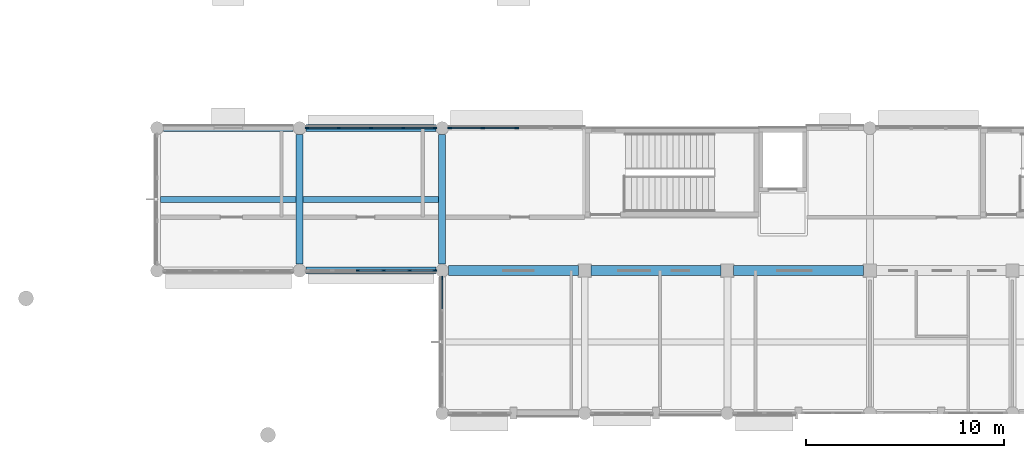
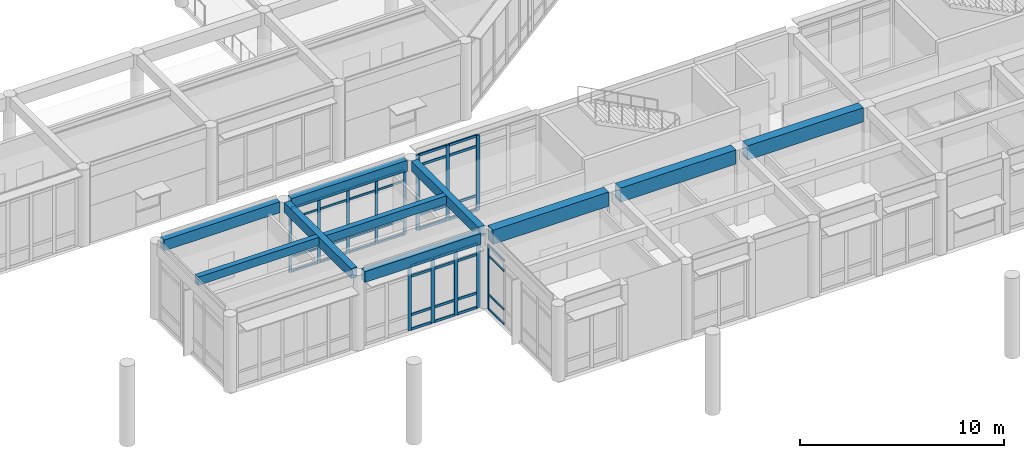
# One storey, part 5 of 92: 53 members, 10 beams, 4 elements without a shape of their own.
"""IFC4 building model written with IfcOpenShell, lengths in metres."""

import ifcopenshell
import ifcopenshell.guid

model = None  # the IFC model being written
_history = None  # IfcOwnerHistory: only IFC2X3 demands one
_inside = {}  # id of a spatial element -> (the spatial element, [elements in it])
_under = {}  # id of a project, library or spatial element -> (it, [spatial elements below it])
_declared = {}  # id of a project -> (the project, [libraries it declares])
_typed = {}  # id of a type object -> (the type object, [elements of that type])
_made_of = {}  # id of a material, layer set ... -> (it, [elements and type objects made of it])


def new_model(schema):
    """Start an empty IFC model of exactly this schema.

    Asked for "IFC4X3", IfcOpenShell would pick the latest addendum, in which some entities
    have other attributes; the version numbers below select the first issue.
    IFC2X3 requires an IfcOwnerHistory on every rooted entity: one is made here for all.
    """
    global model, _history
    if schema == "IFC4X3":
        model = ifcopenshell.file(schema_version=(4, 3, 0, 0))
    else:
        model = ifcopenshell.file(schema=schema)
    _inside.clear()
    _under.clear()
    _declared.clear()
    _typed.clear()
    _made_of.clear()
    _history = None
    if model.schema == "IFC2X3":
        org = make("IfcOrganization", Name="unknown")
        user = make(
            "IfcPersonAndOrganization",
            ThePerson=make("IfcPerson", FamilyName="unknown"),
            TheOrganization=org,
        )
        app = make(
            "IfcApplication",
            ApplicationDeveloper=org,
            Version="unknown",
            ApplicationFullName="unknown",
            ApplicationIdentifier="unknown",
        )
        _history = make(
            "IfcOwnerHistory",
            OwningUser=user,
            OwningApplication=app,
            ChangeAction="ADDED",
            CreationDate=0,
        )
    return model


def make(cls, **values):
    """One entity of the class cls with the attributes given. An attribute that is None is left unset."""
    return model.create_entity(
        cls, **{name: value for name, value in values.items() if value is not None}
    )


def rooted(cls, **values):
    """An entity with a GlobalId (a new one), such as an element, a storey or a relation."""
    return make(cls, GlobalId=ifcopenshell.guid.new(), OwnerHistory=_history, **values)


def si_unit(unit_type, name, prefix=None):
    """IfcSIUnit, for example si_unit("LENGTHUNIT", "METRE", prefix="MILLI")."""
    return make("IfcSIUnit", UnitType=unit_type, Prefix=prefix, Name=name)


def assignment(units):
    """IfcUnitAssignment: the units of a project."""
    return None if units is None else make("IfcUnitAssignment", Units=units)


def point(xyz):
    """IfcCartesianPoint."""
    return None if xyz is None else make("IfcCartesianPoint", Coordinates=xyz)


def direction(xyz):
    """IfcDirection."""
    return None if xyz is None else make("IfcDirection", DirectionRatios=xyz)


def frame(location, z_axis=None, x_axis=None):
    """IfcAxis2Placement3D, a coordinate frame: its origin and axes. An axis left out is left unset."""
    return make(
        "IfcAxis2Placement3D",
        Location=point(location),
        Axis=direction(z_axis),
        RefDirection=direction(x_axis),
    )


def frame_2d(location, x_axis=None):
    """IfcAxis2Placement2D, a coordinate frame in the plane: its origin and x axis."""
    return make(
        "IfcAxis2Placement2D", Location=point(location), RefDirection=direction(x_axis)
    )


def origin():
    """The frame at (0, 0, 0) with its axes left unset."""
    return frame((0.0, 0.0, 0.0))


def origin_2d():
    """The frame at (0, 0) in the plane with its x axis left unset."""
    return frame_2d((0.0, 0.0))


def place(relative_to, where):
    """IfcLocalPlacement: puts the frame where relative to a parent placement (None: the world)."""
    return make(
        "IfcLocalPlacement", PlacementRelTo=relative_to, RelativePlacement=where
    )


def context(
    kind, dimensions, precision=None, world=None, true_north=None, identifier=None
):
    """IfcGeometricRepresentationContext, for example the 3D "Model" context."""
    return make(
        "IfcGeometricRepresentationContext",
        ContextIdentifier=identifier,
        ContextType=kind,
        CoordinateSpaceDimension=dimensions,
        Precision=precision,
        WorldCoordinateSystem=world,
        TrueNorth=true_north,
    )


def subcontext(parent, identifier, kind, view, scale=None):
    """IfcGeometricRepresentationSubContext, for example "Body" below "Model"."""
    return make(
        "IfcGeometricRepresentationSubContext",
        ContextIdentifier=identifier,
        ContextType=kind,
        ParentContext=parent,
        TargetScale=scale,
        TargetView=view,
    )


def project(units=None, contexts=None):
    """IfcProject with its units and contexts."""
    return rooted(
        "IfcProject",
        Name="project",
        RepresentationContexts=contexts,
        UnitsInContext=assignment(units),
    )


def spatial(cls, under=None, at=None, **own):
    """A site, building, storey or space (cls), placed at a placement, below another one or the project."""
    s = rooted(cls, ObjectPlacement=at, **own)
    if under is not None:
        _under.setdefault(under.id(), (under, []))[1].append(s)
    return s


def profile(cls, at=None, kind="AREA", **sizes):
    """A parametric profile (cls). Its sizes go by their IFC names, for example OverallWidth=200.0."""
    return make(cls, ProfileType=kind, Position=at, **sizes)


def rectangle(**sizes):
    """IfcRectangleProfileDef."""
    return profile("IfcRectangleProfileDef", **sizes)


def extrude(swept, where, along, depth):
    """IfcExtrudedAreaSolid: the profile swept, set in the frame where, extruded along a direction by depth."""
    return make(
        "IfcExtrudedAreaSolid",
        SweptArea=swept,
        Position=where,
        ExtrudedDirection=direction(along),
        Depth=depth,
    )


def shape(context_of_items, identifier, shape_type, items):
    """IfcShapeRepresentation: the items that make up one representation, for example the "Body"."""
    return make(
        "IfcShapeRepresentation",
        ContextOfItems=context_of_items,
        RepresentationIdentifier=identifier,
        RepresentationType=shape_type,
        Items=items,
    )


def material(Name=None, Category=None):
    """IfcMaterial."""
    return make("IfcMaterial", Name=Name, Category=Category)


def layer(
    of_material, thickness, ventilated=None, Name=None, Category=None, Priority=None
):
    """IfcMaterialLayer: one layer of a wall or slab, of a material (None: an air gap)."""
    return make(
        "IfcMaterialLayer",
        Material=of_material,
        LayerThickness=thickness,
        IsVentilated=ventilated,
        Name=Name,
        Category=Category,
        Priority=Priority,
    )


def layer_set(layers, Name=None):
    """IfcMaterialLayerSet."""
    return make("IfcMaterialLayerSet", MaterialLayers=layers, LayerSetName=Name)


def material_profile(
    of_material, cross_section, Name=None, Category=None, Priority=None
):
    """IfcMaterialProfile: a cross section and its material."""
    return make(
        "IfcMaterialProfile",
        Name=Name,
        Material=of_material,
        Profile=cross_section,
        Priority=Priority,
        Category=Category,
    )


def profile_set(profiles, Name=None, composite=None):
    """IfcMaterialProfileSet."""
    return make(
        "IfcMaterialProfileSet",
        Name=Name,
        MaterialProfiles=profiles,
        CompositeProfile=composite,
    )


def made_of(thing, what):
    """Note that an element or type object is made of a material, layer set ...; save() writes the relation."""
    if what is not None:
        _made_of.setdefault(what.id(), (what, []))[1].append(thing)
    return thing


def type_object(cls, material=None, **own):
    """A type object (cls), such as IfcWallType, which elements share."""
    return made_of(rooted(cls, **own), material)


def element(
    cls,
    number,
    at=None,
    inside=None,
    cuts=None,
    type_object=None,
    material=None,
    context=None,
    identifier="Body",
    shape_type=None,
    held_by="IfcProductDefinitionShape",
    body=None,
    shapes=None,
    **own,
):
    """One element of the class cls, such as IfcWall. Its Tag is "e" and its number.

    at: its placement. inside: the storey or other place that contains it. cuts: it is an
    opening in that element (IfcRelVoidsElement). A single representation is given by context,
    identifier, shape_type and body (its items); several are given by shapes. held_by: the class
    of the entity that holds the representations. save() writes the other relations.
    """
    e = rooted(cls, Tag="e%d" % number, ObjectPlacement=at, **own)
    if body is not None:
        shapes = [shape(context, identifier, shape_type, body)]
    if shapes is not None:
        e.Representation = make(held_by, Representations=shapes)
    if inside is not None:
        _inside.setdefault(inside.id(), (inside, []))[1].append(e)
    if cuts is not None:
        rooted(
            "IfcRelVoidsElement", RelatingBuildingElement=cuts, RelatedOpeningElement=e
        )
    if type_object is not None:
        _typed.setdefault(type_object.id(), (type_object, []))[1].append(e)
    return made_of(e, material)


def aggregate(whole, parts):
    """IfcRelAggregates: a whole, such as a stair, and the parts it consists of."""
    return rooted("IfcRelAggregates", RelatingObject=whole, RelatedObjects=parts)


def save(model, path):
    """Write the relations noted so far, then the file.

    IfcRelAggregates (storeys below a building ...), IfcRelContainedInSpatialStructure (elements
    in a storey), IfcRelDefinesByType, IfcRelAssociatesMaterial and IfcRelDeclares: one each for
    every whole, place, type object, material and project.
    """
    for whole, parts in _under.values():
        aggregate(whole, parts)
    for where, things in _inside.values():
        rooted(
            "IfcRelContainedInSpatialStructure",
            RelatedElements=things,
            RelatingStructure=where,
        )
    for kind, things in _typed.values():
        rooted("IfcRelDefinesByType", RelatedObjects=things, RelatingType=kind)
    for what, things in _made_of.values():
        rooted("IfcRelAssociatesMaterial", RelatedObjects=things, RelatingMaterial=what)
    for by, libraries in _declared.values():
        rooted("IfcRelDeclares", RelatingContext=by, RelatedDefinitions=libraries)
    model.write(path)


model = new_model("IFC4")

# Units and contexts
model_context = context("Model", 3, precision=1e-05, world=origin(), true_north=direction((0.0, 1.0)))
body_context = subcontext(model_context, "Body", "Model", "MODEL_VIEW")
ifc_project = project(units=[si_unit("LENGTHUNIT", "METRE"), si_unit("AREAUNIT", "SQUARE_METRE"), si_unit("VOLUMEUNIT", "CUBIC_METRE"), si_unit("PLANEANGLEUNIT", "RADIAN"), si_unit("MASSUNIT", "GRAM", prefix="KILO")], contexts=[model_context])

# Site, building, storey
site_placement = place(None, origin())
site = spatial("IfcSite", under=ifc_project, at=site_placement, CompositionType="ELEMENT")
building_placement = place(site_placement, origin())
building = spatial("IfcBuilding", under=site, at=building_placement, Name="Namkhue Oval Health Centre", CompositionType="ELEMENT")
storey_placement = place(building_placement, frame((0.0, 0.0, 4.800048828125)))
storey = spatial("IfcBuildingStorey", under=building, at=storey_placement, Name="L01", CompositionType="ELEMENT", Elevation=4.800048828125)

# Curtain wall, members
ifc_material_1 = material(Name="Anodised aluminium EN AW-6063 T6", Category="aluminium")
ifc_layer_1 = layer(ifc_material_1, 0.159912109375)
ifc_layer_set_1 = layer_set([ifc_layer_1], Name="Anodised aluminium EN AW-6063 T6")
curtain_wall_type_1 = type_object("IfcCurtainWallType", Name="UNITISED CURTAIN WALL M1800", PredefinedType="NOTDEFINED", material=ifc_layer_set_1)
curtain_wall_1_placement = place(storey_placement, origin())
curtain_wall_1 = element("IfcCurtainWall", 1, at=curtain_wall_1_placement, inside=storey, type_object=curtain_wall_type_1, Name="Volume V4 L01 Unitised Curtain Wall 155", PredefinedType="NOTDEFINED")
ifc_material_profile_1 = material_profile(ifc_material_1, rectangle(XDim=0.06494140625, YDim=0.159912109375, at=origin_2d()), Name="ALU 65x160")
ifc_profile_set_1 = profile_set([ifc_material_profile_1], Name="Anodised aluminium EN AW-6063 T6")
member_type_1 = type_object("IfcMemberType", Name="CURTAIN WALL MULLION 65X160", PredefinedType="MULLION", material=ifc_profile_set_1)
member_1_placement = place(storey_placement, frame((50.032470703125, 28.800048828125, 0.0), z_axis=(0.0, 0.0, 1.0), x_axis=(0.0, -1.0, 0.0)))
member_1 = element("IfcMember", 2, at=member_1_placement, type_object=member_type_1, Name="CW-05 mullion 1", PredefinedType="MULLION", context=body_context, shape_type="SweptSolid", body=[
    extrude(rectangle(XDim=0.06494140625, YDim=0.159912109375, at=origin_2d()), origin(), (0.0, 0.0, 1.0), 3.85498046875),
])
member_2_placement = place(storey_placement, frame((48.4326171875, 28.800048828125, 0.0), z_axis=(0.0, 0.0, 1.0), x_axis=(0.0, -1.0, 0.0)))
member_2 = element("IfcMember", 3, at=member_2_placement, type_object=member_type_1, Name="CW-05 mullion 2", PredefinedType="MULLION", context=body_context, shape_type="SweptSolid", body=[
    extrude(rectangle(XDim=0.06494140625, YDim=0.159912109375, at=origin_2d()), origin(), (0.0, 0.0, 1.0), 3.85498046875),
])
member_3_placement = place(storey_placement, frame((46.800048828125, 28.800048828125, 0.0), z_axis=(0.0, 0.0, 1.0), x_axis=(0.0, -1.0, 0.0)))
member_3 = element("IfcMember", 4, at=member_3_placement, type_object=member_type_1, Name="CW-05 mullion 3", PredefinedType="MULLION", context=body_context, shape_type="SweptSolid", body=[
    extrude(rectangle(XDim=0.06494140625, YDim=0.159912109375, at=origin_2d()), origin(), (0.0, 0.0, 1.0), 3.85498046875),
])
member_4_placement = place(storey_placement, frame((45.16748046875, 28.800048828125, 0.0), z_axis=(0.0, 0.0, 1.0), x_axis=(0.0, -1.0, 0.0)))
member_4 = element("IfcMember", 5, at=member_4_placement, type_object=member_type_1, Name="CW-05 mullion 4", PredefinedType="MULLION", context=body_context, shape_type="SweptSolid", body=[
    extrude(rectangle(XDim=0.06494140625, YDim=0.159912109375, at=origin_2d()), origin(), (0.0, 0.0, 1.0), 3.85498046875),
])
member_5_placement = place(storey_placement, frame((43.5673828125, 28.800048828125, 0.0), z_axis=(0.0, 0.0, 1.0), x_axis=(0.0, -1.0, 0.0)))
member_5 = element("IfcMember", 6, at=member_5_placement, type_object=member_type_1, Name="CW-05 mullion 5", PredefinedType="MULLION", context=body_context, shape_type="SweptSolid", body=[
    extrude(rectangle(XDim=0.06494140625, YDim=0.159912109375, at=origin_2d()), origin(), (0.0, 0.0, 1.0), 3.85498046875),
])

# Curtain wall, member
ifc_layer_2 = layer(ifc_material_1, 0.159912109375)
ifc_layer_set_2 = layer_set([ifc_layer_2], Name="Anodised aluminium EN AW-6063 T6")
curtain_wall_type_2 = type_object("IfcCurtainWallType", Name="UNITISED CURTAIN WALL M1500", PredefinedType="NOTDEFINED", material=ifc_layer_set_2)
curtain_wall_2_placement = place(storey_placement, origin())
curtain_wall_2 = element("IfcCurtainWall", 7, at=curtain_wall_2_placement, inside=storey, type_object=curtain_wall_type_2, Name="Volume V4 L01 Unitised Curtain Wall 159", PredefinedType="NOTDEFINED")
member_6_placement = place(storey_placement, frame((50.39990234375, 21.232421875, 0.0), z_axis=(0.0, 0.0, 1.0), x_axis=(1.0, 0.0, 0.0)))
member_6 = element("IfcMember", 8, at=member_6_placement, type_object=member_type_1, Name="CW-03 mullion 1", PredefinedType="MULLION", context=body_context, shape_type="SweptSolid", body=[
    extrude(rectangle(XDim=0.06494140625, YDim=0.159912109375, at=origin_2d()), origin(), (0.0, 0.0, 1.0), 3.85498046875),
])

# Curtain wall, members
ifc_layer_3 = layer(ifc_material_1, 0.159912109375)
ifc_layer_set_3 = layer_set([ifc_layer_3], Name="Anodised aluminium EN AW-6063 T6")
curtain_wall_type_3 = type_object("IfcCurtainWallType", Name="UNITISED CURTAIN WALL M1600", PredefinedType="NOTDEFINED", material=ifc_layer_set_3)
curtain_wall_3_placement = place(storey_placement, origin())
curtain_wall_3 = element("IfcCurtainWall", 9, at=curtain_wall_3_placement, inside=storey, type_object=curtain_wall_type_3, Name="Volume V4 L01 Unitised Curtain Wall 154", PredefinedType="NOTDEFINED")
ifc_material_profile_2 = material_profile(ifc_material_1, rectangle(XDim=0.074951171875, YDim=0.199951171875, at=origin_2d()), Name="ALU 75x200")
ifc_profile_set_2 = profile_set([ifc_material_profile_2], Name="Anodised aluminium EN AW-6063 T6")
member_type_2 = type_object("IfcMemberType", Name="CURTAIN WALL MULLION 75X200", PredefinedType="MULLION", material=ifc_profile_set_2)
member_7_placement = place(storey_placement, frame((54.158935546875, 28.800048828125, 0.0), z_axis=(0.0, 0.0, 1.0), x_axis=(0.0, -1.0, 0.0)))
member_7 = element("IfcMember", 10, at=member_7_placement, type_object=member_type_2, Name="CW-04 mullion 3", PredefinedType="MULLION", context=body_context, shape_type="SweptSolid", body=[
    extrude(rectangle(XDim=0.074951171875, YDim=0.199951171875, at=origin_2d()), origin(), (0.0, 0.0, 1.0), 4.5048828125),
])
member_8_placement = place(storey_placement, frame((52.447021484375, 28.800048828125, 0.0), z_axis=(0.0, 0.0, 1.0), x_axis=(0.0, -1.0, 0.0)))
member_8 = element("IfcMember", 11, at=member_8_placement, type_object=member_type_2, Name="CW-04 mullion 4", PredefinedType="MULLION", context=body_context, shape_type="SweptSolid", body=[
    extrude(rectangle(XDim=0.074951171875, YDim=0.199951171875, at=origin_2d()), origin(), (0.0, 0.0, 1.0), 4.5048828125),
])
member_9_placement = place(storey_placement, frame((50.7724609375, 28.800048828125, 0.0), z_axis=(0.0, 0.0, 1.0), x_axis=(0.0, -1.0, 0.0)))
member_9 = element("IfcMember", 12, at=member_9_placement, type_object=member_type_2, Name="CW-04 mullion 5", PredefinedType="MULLION", context=body_context, shape_type="SweptSolid", body=[
    extrude(rectangle(XDim=0.074951171875, YDim=0.199951171875, at=origin_2d()), origin(), (0.0, 0.0, 1.0), 4.5048828125),
])

ifc_layer_4 = layer(ifc_material_1, 0.159912109375)
ifc_layer_set_4 = layer_set([ifc_layer_4], Name="Anodised aluminium EN AW-6063 T6")
curtain_wall_type_4 = type_object("IfcCurtainWallType", Name="UNITISED CURTAIN WALL M1350", PredefinedType="NOTDEFINED", material=ifc_layer_set_4)
curtain_wall_4_placement = place(storey_placement, origin())
curtain_wall_4 = element("IfcCurtainWall", 13, at=curtain_wall_4_placement, inside=storey, type_object=curtain_wall_type_4, Name="Volume V4 L01 Unitised Curtain Wall 158", PredefinedType="NOTDEFINED")
member_10_placement = place(storey_placement, frame((46.14697265625, 21.60009765625, 0.0), z_axis=(0.0, 0.0, 1.0), x_axis=(0.0, 1.0, 0.0)))
member_10 = element("IfcMember", 14, at=member_10_placement, type_object=member_type_2, Name="CW-02 mullion 3", PredefinedType="MULLION", context=body_context, shape_type="SweptSolid", body=[
    extrude(rectangle(XDim=0.074951171875, YDim=0.199951171875, at=origin_2d()), origin(), (0.0, 0.0, 1.0), 3.85498046875),
])
member_11_placement = place(storey_placement, frame((47.452880859375, 21.60009765625, 0.0), z_axis=(0.0, 0.0, 1.0), x_axis=(0.0, 1.0, 0.0)))
member_11 = element("IfcMember", 15, at=member_11_placement, type_object=member_type_2, Name="CW-02 mullion 4", PredefinedType="MULLION", context=body_context, shape_type="SweptSolid", body=[
    extrude(rectangle(XDim=0.074951171875, YDim=0.199951171875, at=origin_2d()), origin(), (0.0, 0.0, 1.0), 3.85498046875),
])
member_12_placement = place(storey_placement, frame((48.759033203125, 21.60009765625, 0.0), z_axis=(0.0, 0.0, 1.0), x_axis=(0.0, 1.0, 0.0)))
member_12 = element("IfcMember", 16, at=member_12_placement, type_object=member_type_2, Name="CW-02 mullion 5", PredefinedType="MULLION", context=body_context, shape_type="SweptSolid", body=[
    extrude(rectangle(XDim=0.074951171875, YDim=0.199951171875, at=origin_2d()), origin(), (0.0, 0.0, 1.0), 3.85498046875),
])
member_13_placement = place(storey_placement, frame((50.027587890625, 21.60009765625, 0.0), z_axis=(0.0, 0.0, 1.0), x_axis=(0.0, 1.0, 0.0)))
member_13 = element("IfcMember", 17, at=member_13_placement, type_object=member_type_2, Name="CW-02 mullion 6", PredefinedType="MULLION", context=body_context, shape_type="SweptSolid", body=[
    extrude(rectangle(XDim=0.074951171875, YDim=0.199951171875, at=origin_2d()), origin(), (0.0, 0.0, 1.0), 3.85498046875),
])

# Member
ifc_material_profile_3 = material_profile(ifc_material_1, rectangle(XDim=0.06494140625, YDim=0.1201171875, at=origin_2d()), Name="ALU 65x120")
ifc_profile_set_3 = profile_set([ifc_material_profile_3], Name="Anodised aluminium EN AW-6063 T6")
member_type_3 = type_object("IfcMemberType", Name="CURTAIN WALL TRANSOM 65X120", PredefinedType="USERDEFINED", material=ifc_profile_set_3)
member_14_placement = place(storey_placement, frame((50.0, 28.800048828125, 0.032470703125), z_axis=(-1.0, 0.0, 0.0), x_axis=(0.0, -1.0, 0.0)))
member_14 = element("IfcMember", 18, at=member_14_placement, type_object=member_type_3, Name="CW-05 transom 1.1", ObjectType="TRANSOM", PredefinedType="USERDEFINED", context=body_context, shape_type="SweptSolid", body=[
    extrude(rectangle(XDim=0.06494140625, YDim=0.1201171875, at=origin_2d()), origin(), (0.0, 0.0, 1.0), 1.534912109375),
])

member_15_placement = place(storey_placement, frame((50.0, 28.800048828125, 0.89990234375), z_axis=(-1.0, 0.0, 0.0), x_axis=(0.0, -1.0, 0.0)))
member_15 = element("IfcMember", 19, at=member_15_placement, type_object=member_type_3, Name="CW-05 transom 1.2", ObjectType="TRANSOM", PredefinedType="USERDEFINED", context=body_context, shape_type="SweptSolid", body=[
    extrude(rectangle(XDim=0.06494140625, YDim=0.1201171875, at=origin_2d()), origin(), (0.0, 0.0, 1.0), 1.534912109375),
])

member_16_placement = place(storey_placement, frame((50.0, 28.800048828125, 3.204833984375), z_axis=(-1.0, 0.0, 0.0), x_axis=(0.0, -1.0, 0.0)))
member_16 = element("IfcMember", 20, at=member_16_placement, type_object=member_type_3, Name="CW-05 transom 1.3", ObjectType="TRANSOM", PredefinedType="USERDEFINED", context=body_context, shape_type="SweptSolid", body=[
    extrude(rectangle(XDim=0.06494140625, YDim=0.1201171875, at=origin_2d()), origin(), (0.0, 0.0, 1.0), 1.534912109375),
])

member_17_placement = place(storey_placement, frame((50.0, 28.800048828125, 3.822509765625), z_axis=(-1.0, 0.0, 0.0), x_axis=(0.0, -1.0, 0.0)))
member_17 = element("IfcMember", 21, at=member_17_placement, type_object=member_type_3, Name="CW-05 transom 1.4", ObjectType="TRANSOM", PredefinedType="USERDEFINED", context=body_context, shape_type="SweptSolid", body=[
    extrude(rectangle(XDim=0.06494140625, YDim=0.1201171875, at=origin_2d()), origin(), (0.0, 0.0, 1.0), 1.534912109375),
])

member_18_placement = place(storey_placement, frame((48.39990234375, 28.800048828125, 0.032470703125), z_axis=(-1.0, 0.0, 0.0), x_axis=(0.0, -1.0, 0.0)))
member_18 = element("IfcMember", 22, at=member_18_placement, type_object=member_type_3, Name="CW-05 transom 2.1", ObjectType="TRANSOM", PredefinedType="USERDEFINED", context=body_context, shape_type="SweptSolid", body=[
    extrude(rectangle(XDim=0.06494140625, YDim=0.1201171875, at=origin_2d()), origin(), (0.0, 0.0, 1.0), 1.5673828125),
])

member_19_placement = place(storey_placement, frame((48.39990234375, 28.800048828125, 0.89990234375), z_axis=(-1.0, 0.0, 0.0), x_axis=(0.0, -1.0, 0.0)))
member_19 = element("IfcMember", 23, at=member_19_placement, type_object=member_type_3, Name="CW-05 transom 2.2", ObjectType="TRANSOM", PredefinedType="USERDEFINED", context=body_context, shape_type="SweptSolid", body=[
    extrude(rectangle(XDim=0.06494140625, YDim=0.1201171875, at=origin_2d()), origin(), (0.0, 0.0, 1.0), 1.5673828125),
])

member_20_placement = place(storey_placement, frame((48.39990234375, 28.800048828125, 3.204833984375), z_axis=(-1.0, 0.0, 0.0), x_axis=(0.0, -1.0, 0.0)))
member_20 = element("IfcMember", 24, at=member_20_placement, type_object=member_type_3, Name="CW-05 transom 2.3", ObjectType="TRANSOM", PredefinedType="USERDEFINED", context=body_context, shape_type="SweptSolid", body=[
    extrude(rectangle(XDim=0.06494140625, YDim=0.1201171875, at=origin_2d()), origin(), (0.0, 0.0, 1.0), 1.5673828125),
])

member_21_placement = place(storey_placement, frame((48.39990234375, 28.800048828125, 3.822509765625), z_axis=(-1.0, 0.0, 0.0), x_axis=(0.0, -1.0, 0.0)))
member_21 = element("IfcMember", 25, at=member_21_placement, type_object=member_type_3, Name="CW-05 transom 2.4", ObjectType="TRANSOM", PredefinedType="USERDEFINED", context=body_context, shape_type="SweptSolid", body=[
    extrude(rectangle(XDim=0.06494140625, YDim=0.1201171875, at=origin_2d()), origin(), (0.0, 0.0, 1.0), 1.5673828125),
])

member_22_placement = place(storey_placement, frame((46.767578125, 28.800048828125, 0.032470703125), z_axis=(-1.0, 0.0, 0.0), x_axis=(0.0, -1.0, 0.0)))
member_22 = element("IfcMember", 26, at=member_22_placement, type_object=member_type_3, Name="CW-05 transom 3.1", ObjectType="TRANSOM", PredefinedType="USERDEFINED", context=body_context, shape_type="SweptSolid", body=[
    extrude(rectangle(XDim=0.06494140625, YDim=0.1201171875, at=origin_2d()), origin(), (0.0, 0.0, 1.0), 1.567626953125),
])

member_23_placement = place(storey_placement, frame((46.767578125, 28.800048828125, 0.89990234375), z_axis=(-1.0, 0.0, 0.0), x_axis=(0.0, -1.0, 0.0)))
member_23 = element("IfcMember", 27, at=member_23_placement, type_object=member_type_3, Name="CW-05 transom 3.2", ObjectType="TRANSOM", PredefinedType="USERDEFINED", context=body_context, shape_type="SweptSolid", body=[
    extrude(rectangle(XDim=0.06494140625, YDim=0.1201171875, at=origin_2d()), origin(), (0.0, 0.0, 1.0), 1.567626953125),
])

member_24_placement = place(storey_placement, frame((46.767578125, 28.800048828125, 3.204833984375), z_axis=(-1.0, 0.0, 0.0), x_axis=(0.0, -1.0, 0.0)))
member_24 = element("IfcMember", 28, at=member_24_placement, type_object=member_type_3, Name="CW-05 transom 3.3", ObjectType="TRANSOM", PredefinedType="USERDEFINED", context=body_context, shape_type="SweptSolid", body=[
    extrude(rectangle(XDim=0.06494140625, YDim=0.1201171875, at=origin_2d()), origin(), (0.0, 0.0, 1.0), 1.567626953125),
])

member_25_placement = place(storey_placement, frame((46.767578125, 28.800048828125, 3.822509765625), z_axis=(-1.0, 0.0, 0.0), x_axis=(0.0, -1.0, 0.0)))
member_25 = element("IfcMember", 29, at=member_25_placement, type_object=member_type_3, Name="CW-05 transom 3.4", ObjectType="TRANSOM", PredefinedType="USERDEFINED", context=body_context, shape_type="SweptSolid", body=[
    extrude(rectangle(XDim=0.06494140625, YDim=0.1201171875, at=origin_2d()), origin(), (0.0, 0.0, 1.0), 1.567626953125),
])

member_26_placement = place(storey_placement, frame((45.135009765625, 28.800048828125, 0.032470703125), z_axis=(-1.0, 0.0, 0.0), x_axis=(0.0, -1.0, 0.0)))
member_26 = element("IfcMember", 30, at=member_26_placement, type_object=member_type_3, Name="CW-05 transom 4.1", ObjectType="TRANSOM", PredefinedType="USERDEFINED", context=body_context, shape_type="SweptSolid", body=[
    extrude(rectangle(XDim=0.06494140625, YDim=0.1201171875, at=origin_2d()), origin(), (0.0, 0.0, 1.0), 1.534912109375),
])

member_27_placement = place(storey_placement, frame((45.135009765625, 28.800048828125, 0.89990234375), z_axis=(-1.0, 0.0, 0.0), x_axis=(0.0, -1.0, 0.0)))
member_27 = element("IfcMember", 31, at=member_27_placement, type_object=member_type_3, Name="CW-05 transom 4.2", ObjectType="TRANSOM", PredefinedType="USERDEFINED", context=body_context, shape_type="SweptSolid", body=[
    extrude(rectangle(XDim=0.06494140625, YDim=0.1201171875, at=origin_2d()), origin(), (0.0, 0.0, 1.0), 1.534912109375),
])

member_28_placement = place(storey_placement, frame((45.135009765625, 28.800048828125, 3.204833984375), z_axis=(-1.0, 0.0, 0.0), x_axis=(0.0, -1.0, 0.0)))
member_28 = element("IfcMember", 32, at=member_28_placement, type_object=member_type_3, Name="CW-05 transom 4.3", ObjectType="TRANSOM", PredefinedType="USERDEFINED", context=body_context, shape_type="SweptSolid", body=[
    extrude(rectangle(XDim=0.06494140625, YDim=0.1201171875, at=origin_2d()), origin(), (0.0, 0.0, 1.0), 1.534912109375),
])

member_29_placement = place(storey_placement, frame((45.135009765625, 28.800048828125, 3.822509765625), z_axis=(-1.0, 0.0, 0.0), x_axis=(0.0, -1.0, 0.0)))
member_29 = element("IfcMember", 33, at=member_29_placement, type_object=member_type_3, Name="CW-05 transom 4.4", ObjectType="TRANSOM", PredefinedType="USERDEFINED", context=body_context, shape_type="SweptSolid", body=[
    extrude(rectangle(XDim=0.06494140625, YDim=0.1201171875, at=origin_2d()), origin(), (0.0, 0.0, 1.0), 1.534912109375),
])

aggregate(curtain_wall_1, [member_1, member_2, member_3, member_4, member_5, member_14, member_15, member_16, member_17, member_18, member_19, member_20, member_21, member_22, member_23, member_24, member_25, member_26, member_27, member_28, member_29])

member_30_placement = place(storey_placement, frame((50.39990234375, 21.199951171875, 0.032470703125), z_axis=(0.0, -1.0, 0.0), x_axis=(1.0, 0.0, 0.0)))
member_30 = element("IfcMember", 34, at=member_30_placement, type_object=member_type_3, Name="CW-03 transom 1.1", ObjectType="TRANSOM", PredefinedType="USERDEFINED", context=body_context, shape_type="SweptSolid", body=[
    extrude(rectangle(XDim=0.06494140625, YDim=0.1201171875, at=origin_2d()), origin(), (0.0, 0.0, 1.0), 1.534912109375),
])

member_31_placement = place(storey_placement, frame((50.39990234375, 21.199951171875, 0.89990234375), z_axis=(0.0, -1.0, 0.0), x_axis=(1.0, 0.0, 0.0)))
member_31 = element("IfcMember", 35, at=member_31_placement, type_object=member_type_3, Name="CW-03 transom 1.2", ObjectType="TRANSOM", PredefinedType="USERDEFINED", context=body_context, shape_type="SweptSolid", body=[
    extrude(rectangle(XDim=0.06494140625, YDim=0.1201171875, at=origin_2d()), origin(), (0.0, 0.0, 1.0), 1.534912109375),
])

member_32_placement = place(storey_placement, frame((50.39990234375, 21.199951171875, 3.204833984375), z_axis=(0.0, -1.0, 0.0), x_axis=(1.0, 0.0, 0.0)))
member_32 = element("IfcMember", 36, at=member_32_placement, type_object=member_type_3, Name="CW-03 transom 1.3", ObjectType="TRANSOM", PredefinedType="USERDEFINED", context=body_context, shape_type="SweptSolid", body=[
    extrude(rectangle(XDim=0.06494140625, YDim=0.1201171875, at=origin_2d()), origin(), (0.0, 0.0, 1.0), 1.534912109375),
])

member_33_placement = place(storey_placement, frame((50.39990234375, 21.199951171875, 3.822509765625), z_axis=(0.0, -1.0, 0.0), x_axis=(1.0, 0.0, 0.0)))
member_33 = element("IfcMember", 37, at=member_33_placement, type_object=member_type_3, Name="CW-03 transom 1.4", ObjectType="TRANSOM", PredefinedType="USERDEFINED", context=body_context, shape_type="SweptSolid", body=[
    extrude(rectangle(XDim=0.06494140625, YDim=0.1201171875, at=origin_2d()), origin(), (0.0, 0.0, 1.0), 1.534912109375),
])

aggregate(curtain_wall_2, [member_6, member_30, member_31, member_32, member_33])

ifc_material_profile_4 = material_profile(ifc_material_1, rectangle(XDim=0.074951171875, YDim=0.14990234375, at=origin_2d()), Name="ALU 75x150")
ifc_profile_set_4 = profile_set([ifc_material_profile_4], Name="Anodised aluminium EN AW-6063 T6")
member_type_4 = type_object("IfcMemberType", Name="CURTAIN WALL TRANSOM 75X150", PredefinedType="USERDEFINED", material=ifc_profile_set_4)
member_34_placement = place(storey_placement, frame((54.12158203125, 28.800048828125, 0.037353515625), z_axis=(-1.0, 0.0, 0.0), x_axis=(0.0, -1.0, 0.0)))
member_34 = element("IfcMember", 38, at=member_34_placement, type_object=member_type_4, Name="CW-04 transom 3.1", ObjectType="TRANSOM", PredefinedType="USERDEFINED", context=body_context, shape_type="SweptSolid", body=[
    extrude(rectangle(XDim=0.074951171875, YDim=0.14990234375, at=origin_2d()), origin(), (0.0, 0.0, 1.0), 1.636962890625),
])

member_35_placement = place(storey_placement, frame((54.12158203125, 28.800048828125, 0.89990234375), z_axis=(-1.0, 0.0, 0.0), x_axis=(0.0, -1.0, 0.0)))
member_35 = element("IfcMember", 39, at=member_35_placement, type_object=member_type_4, Name="CW-04 transom 3.2", ObjectType="TRANSOM", PredefinedType="USERDEFINED", context=body_context, shape_type="SweptSolid", body=[
    extrude(rectangle(XDim=0.074951171875, YDim=0.14990234375, at=origin_2d()), origin(), (0.0, 0.0, 1.0), 1.636962890625),
])

member_36_placement = place(storey_placement, frame((54.12158203125, 28.800048828125, 3.85498046875), z_axis=(-1.0, 0.0, 0.0), x_axis=(0.0, -1.0, 0.0)))
member_36 = element("IfcMember", 40, at=member_36_placement, type_object=member_type_4, Name="CW-04 transom 3.3", ObjectType="TRANSOM", PredefinedType="USERDEFINED", context=body_context, shape_type="SweptSolid", body=[
    extrude(rectangle(XDim=0.074951171875, YDim=0.14990234375, at=origin_2d()), origin(), (0.0, 0.0, 1.0), 1.636962890625),
])

member_37_placement = place(storey_placement, frame((54.12158203125, 28.800048828125, 4.467529296875), z_axis=(-1.0, 0.0, 0.0), x_axis=(0.0, -1.0, 0.0)))
member_37 = element("IfcMember", 41, at=member_37_placement, type_object=member_type_4, Name="CW-04 transom 3.4", ObjectType="TRANSOM", PredefinedType="USERDEFINED", context=body_context, shape_type="SweptSolid", body=[
    extrude(rectangle(XDim=0.074951171875, YDim=0.14990234375, at=origin_2d()), origin(), (0.0, 0.0, 1.0), 1.636962890625),
])

member_38_placement = place(storey_placement, frame((52.409423828125, 28.800048828125, 0.037353515625), z_axis=(-1.0, 0.0, 0.0), x_axis=(0.0, -1.0, 0.0)))
member_38 = element("IfcMember", 42, at=member_38_placement, type_object=member_type_4, Name="CW-04 transom 4.1", ObjectType="TRANSOM", PredefinedType="USERDEFINED", context=body_context, shape_type="SweptSolid", body=[
    extrude(rectangle(XDim=0.074951171875, YDim=0.14990234375, at=origin_2d()), origin(), (0.0, 0.0, 1.0), 1.599365234375),
])

member_39_placement = place(storey_placement, frame((52.409423828125, 28.800048828125, 0.89990234375), z_axis=(-1.0, 0.0, 0.0), x_axis=(0.0, -1.0, 0.0)))
member_39 = element("IfcMember", 43, at=member_39_placement, type_object=member_type_4, Name="CW-04 transom 4.2", ObjectType="TRANSOM", PredefinedType="USERDEFINED", context=body_context, shape_type="SweptSolid", body=[
    extrude(rectangle(XDim=0.074951171875, YDim=0.14990234375, at=origin_2d()), origin(), (0.0, 0.0, 1.0), 1.599365234375),
])

member_40_placement = place(storey_placement, frame((52.409423828125, 28.800048828125, 3.85498046875), z_axis=(-1.0, 0.0, 0.0), x_axis=(0.0, -1.0, 0.0)))
member_40 = element("IfcMember", 44, at=member_40_placement, type_object=member_type_4, Name="CW-04 transom 4.3", ObjectType="TRANSOM", PredefinedType="USERDEFINED", context=body_context, shape_type="SweptSolid", body=[
    extrude(rectangle(XDim=0.074951171875, YDim=0.14990234375, at=origin_2d()), origin(), (0.0, 0.0, 1.0), 1.599365234375),
])

member_41_placement = place(storey_placement, frame((52.409423828125, 28.800048828125, 4.467529296875), z_axis=(-1.0, 0.0, 0.0), x_axis=(0.0, -1.0, 0.0)))
member_41 = element("IfcMember", 45, at=member_41_placement, type_object=member_type_4, Name="CW-04 transom 4.4", ObjectType="TRANSOM", PredefinedType="USERDEFINED", context=body_context, shape_type="SweptSolid", body=[
    extrude(rectangle(XDim=0.074951171875, YDim=0.14990234375, at=origin_2d()), origin(), (0.0, 0.0, 1.0), 1.599365234375),
])

aggregate(curtain_wall_3, [member_7, member_8, member_9, member_34, member_35, member_36, member_37, member_38, member_39, member_40, member_41])

member_42_placement = place(storey_placement, frame((46.1845703125, 21.60009765625, 0.037353515625), z_axis=(1.0, 0.0, 0.0), x_axis=(0.0, 1.0, 0.0)))
member_42 = element("IfcMember", 46, at=member_42_placement, type_object=member_type_4, Name="CW-02 transom 3.1", ObjectType="TRANSOM", PredefinedType="USERDEFINED", context=body_context, shape_type="SweptSolid", body=[
    extrude(rectangle(XDim=0.074951171875, YDim=0.14990234375, at=origin_2d()), origin(), (0.0, 0.0, 1.0), 1.23095703125),
])

member_43_placement = place(storey_placement, frame((46.1845703125, 21.60009765625, 0.89990234375), z_axis=(1.0, 0.0, 0.0), x_axis=(0.0, 1.0, 0.0)))
member_43 = element("IfcMember", 47, at=member_43_placement, type_object=member_type_4, Name="CW-02 transom 3.2", ObjectType="TRANSOM", PredefinedType="USERDEFINED", context=body_context, shape_type="SweptSolid", body=[
    extrude(rectangle(XDim=0.074951171875, YDim=0.14990234375, at=origin_2d()), origin(), (0.0, 0.0, 1.0), 1.23095703125),
])

member_44_placement = place(storey_placement, frame((46.1845703125, 21.60009765625, 3.204833984375), z_axis=(1.0, 0.0, 0.0), x_axis=(0.0, 1.0, 0.0)))
member_44 = element("IfcMember", 48, at=member_44_placement, type_object=member_type_4, Name="CW-02 transom 3.3", ObjectType="TRANSOM", PredefinedType="USERDEFINED", context=body_context, shape_type="SweptSolid", body=[
    extrude(rectangle(XDim=0.074951171875, YDim=0.14990234375, at=origin_2d()), origin(), (0.0, 0.0, 1.0), 1.23095703125),
])

member_45_placement = place(storey_placement, frame((46.1845703125, 21.60009765625, 3.8173828125), z_axis=(1.0, 0.0, 0.0), x_axis=(0.0, 1.0, 0.0)))
member_45 = element("IfcMember", 49, at=member_45_placement, type_object=member_type_4, Name="CW-02 transom 3.4", ObjectType="TRANSOM", PredefinedType="USERDEFINED", context=body_context, shape_type="SweptSolid", body=[
    extrude(rectangle(XDim=0.074951171875, YDim=0.14990234375, at=origin_2d()), origin(), (0.0, 0.0, 1.0), 1.23095703125),
])

member_46_placement = place(storey_placement, frame((47.490478515625, 21.60009765625, 0.037353515625), z_axis=(1.0, 0.0, 0.0), x_axis=(0.0, 1.0, 0.0)))
member_46 = element("IfcMember", 50, at=member_46_placement, type_object=member_type_4, Name="CW-02 transom 4.1", ObjectType="TRANSOM", PredefinedType="USERDEFINED", context=body_context, shape_type="SweptSolid", body=[
    extrude(rectangle(XDim=0.074951171875, YDim=0.14990234375, at=origin_2d()), origin(), (0.0, 0.0, 1.0), 1.23095703125),
])

member_47_placement = place(storey_placement, frame((47.490478515625, 21.60009765625, 0.89990234375), z_axis=(1.0, 0.0, 0.0), x_axis=(0.0, 1.0, 0.0)))
member_47 = element("IfcMember", 51, at=member_47_placement, type_object=member_type_4, Name="CW-02 transom 4.2", ObjectType="TRANSOM", PredefinedType="USERDEFINED", context=body_context, shape_type="SweptSolid", body=[
    extrude(rectangle(XDim=0.074951171875, YDim=0.14990234375, at=origin_2d()), origin(), (0.0, 0.0, 1.0), 1.23095703125),
])

member_48_placement = place(storey_placement, frame((47.490478515625, 21.60009765625, 3.204833984375), z_axis=(1.0, 0.0, 0.0), x_axis=(0.0, 1.0, 0.0)))
member_48 = element("IfcMember", 52, at=member_48_placement, type_object=member_type_4, Name="CW-02 transom 4.3", ObjectType="TRANSOM", PredefinedType="USERDEFINED", context=body_context, shape_type="SweptSolid", body=[
    extrude(rectangle(XDim=0.074951171875, YDim=0.14990234375, at=origin_2d()), origin(), (0.0, 0.0, 1.0), 1.23095703125),
])

member_49_placement = place(storey_placement, frame((47.490478515625, 21.60009765625, 3.8173828125), z_axis=(1.0, 0.0, 0.0), x_axis=(0.0, 1.0, 0.0)))
member_49 = element("IfcMember", 53, at=member_49_placement, type_object=member_type_4, Name="CW-02 transom 4.4", ObjectType="TRANSOM", PredefinedType="USERDEFINED", context=body_context, shape_type="SweptSolid", body=[
    extrude(rectangle(XDim=0.074951171875, YDim=0.14990234375, at=origin_2d()), origin(), (0.0, 0.0, 1.0), 1.23095703125),
])

member_50_placement = place(storey_placement, frame((48.79638671875, 21.60009765625, 0.037353515625), z_axis=(1.0, 0.0, 0.0), x_axis=(0.0, 1.0, 0.0)))
member_50 = element("IfcMember", 54, at=member_50_placement, type_object=member_type_4, Name="CW-02 transom 5.1", ObjectType="TRANSOM", PredefinedType="USERDEFINED", context=body_context, shape_type="SweptSolid", body=[
    extrude(rectangle(XDim=0.074951171875, YDim=0.14990234375, at=origin_2d()), origin(), (0.0, 0.0, 1.0), 1.193603515625),
])

member_51_placement = place(storey_placement, frame((48.79638671875, 21.60009765625, 0.89990234375), z_axis=(1.0, 0.0, 0.0), x_axis=(0.0, 1.0, 0.0)))
member_51 = element("IfcMember", 55, at=member_51_placement, type_object=member_type_4, Name="CW-02 transom 5.2", ObjectType="TRANSOM", PredefinedType="USERDEFINED", context=body_context, shape_type="SweptSolid", body=[
    extrude(rectangle(XDim=0.074951171875, YDim=0.14990234375, at=origin_2d()), origin(), (0.0, 0.0, 1.0), 1.193603515625),
])

member_52_placement = place(storey_placement, frame((48.79638671875, 21.60009765625, 3.204833984375), z_axis=(1.0, 0.0, 0.0), x_axis=(0.0, 1.0, 0.0)))
member_52 = element("IfcMember", 56, at=member_52_placement, type_object=member_type_4, Name="CW-02 transom 5.3", ObjectType="TRANSOM", PredefinedType="USERDEFINED", context=body_context, shape_type="SweptSolid", body=[
    extrude(rectangle(XDim=0.074951171875, YDim=0.14990234375, at=origin_2d()), origin(), (0.0, 0.0, 1.0), 1.193603515625),
])

member_53_placement = place(storey_placement, frame((48.79638671875, 21.60009765625, 3.8173828125), z_axis=(1.0, 0.0, 0.0), x_axis=(0.0, 1.0, 0.0)))
member_53 = element("IfcMember", 57, at=member_53_placement, type_object=member_type_4, Name="CW-02 transom 5.4", ObjectType="TRANSOM", PredefinedType="USERDEFINED", context=body_context, shape_type="SweptSolid", body=[
    extrude(rectangle(XDim=0.074951171875, YDim=0.14990234375, at=origin_2d()), origin(), (0.0, 0.0, 1.0), 1.193603515625),
])

aggregate(curtain_wall_4, [member_10, member_11, member_12, member_13, member_42, member_43, member_44, member_45, member_46, member_47, member_48, member_49, member_50, member_51, member_52, member_53])

# Beams
ifc_material_2 = material(Name="Reinforced concrete C30/37 (TCVN B35)", Category="concrete")
ifc_material_profile_5 = material_profile(ifc_material_2, rectangle(XDim=0.35009765625, YDim=0.60009765625, at=origin_2d()), Name="RC 350x600")
ifc_profile_set_5 = profile_set([ifc_material_profile_5], Name="Reinforced concrete C30/37 (TCVN B35)")
beam_type_1 = type_object("IfcBeamType", Name="FLOOR BEAM RC 350X600", PredefinedType="BEAM", material=ifc_profile_set_5)
for number, where, z_axis, x_axis, name in (
    (58, (43.199951171875, 21.925048828125, 4.248046875), (0.0, 1.0, 0.0), (-1.0, 0.0, 0.0), "Volume V4 L02 Beam 7/D-E"),
    (59, (50.39990234375, 21.925048828125, 4.204833984375), (0.0, 1.0, 0.0), (-1.0, 0.0, 0.0), "Volume V4 L02 Beam 8/D-E"),
):
    element("IfcBeam", number, at=place(storey_placement, frame(where, z_axis=z_axis, x_axis=x_axis)), inside=storey, type_object=beam_type_1, Name=name, PredefinedType="BEAM", context=body_context, shape_type="SweptSolid", body=[
        extrude(rectangle(XDim=0.35009765625, YDim=0.60009765625, at=origin_2d()), origin(), (0.0, 0.0, 1.0), 6.550048828125),
    ])
ifc_material_3 = material(Name="Reinforced concrete C35/45 (TCVN B40)", Category="concrete")
ifc_material_profile_6 = material_profile(ifc_material_3, rectangle(XDim=0.35009765625, YDim=0.64990234375, at=origin_2d()), Name="RC 350x650")
ifc_profile_set_6 = profile_set([ifc_material_profile_6], Name="Reinforced concrete C35/45 (TCVN B40)")
beam_type_2 = type_object("IfcBeamType", Name="PERIMETER SPANDREL BEAM 350X650", PredefinedType="SPANDREL", material=ifc_profile_set_6)
for number, where, z_axis, x_axis, name in (
    (60, (43.52490234375, 21.60009765625, 4.179931640625), (1.0, 0.0, 0.0), (0.0, 1.0, 0.0), "Volume V4 L02 Girder D/7-8"),
    (61, (36.324951171875, 28.800048828125, 4.222900390625), (1.0, 0.0, 0.0), (0.0, 1.0, 0.0), "Volume V4 L02 Girder E/6-7"),
    (62, (43.52490234375, 28.800048828125, 4.179931640625), (1.0, 0.0, 0.0), (0.0, 1.0, 0.0), "Volume V4 L02 Girder E/7-8"),
):
    element("IfcBeam", number, at=place(storey_placement, frame(where, z_axis=z_axis, x_axis=x_axis)), inside=storey, type_object=beam_type_2, Name=name, PredefinedType="SPANDREL", context=body_context, shape_type="SweptSolid", body=[
        extrude(rectangle(XDim=0.35009765625, YDim=0.64990234375, at=origin_2d()), origin(), (0.0, 0.0, 1.0), 6.550048828125),
    ])
ifc_material_profile_7 = material_profile(ifc_material_3, rectangle(XDim=0.5, YDim=0.85009765625, at=origin_2d()), Name="RC 500x850")
ifc_profile_set_7 = profile_set([ifc_material_profile_7], Name="Reinforced concrete C35/45 (TCVN B40)")
beam_type_3 = type_object("IfcBeamType", Name="PRIMARY GIRDER RC 500X850", PredefinedType="USERDEFINED", material=ifc_profile_set_7)
beam_1_placement = place(storey_placement, frame((50.72509765625, 21.60009765625, 4.079833984375), z_axis=(1.0, 0.0, 0.0), x_axis=(0.0, 1.0, 0.0)))
element("IfcBeam", 63, at=beam_1_placement, inside=storey, type_object=beam_type_3, Name="Volume V4 L02 Girder D/8-9", ObjectType="GIRDER", PredefinedType="USERDEFINED", context=body_context, shape_type="SweptSolid", body=[
    extrude(rectangle(XDim=0.5, YDim=0.85009765625, at=origin_2d()), origin(), (0.0, 0.0, 1.0), 6.5498046875),
])
for number, where, z_axis, x_axis, name in (
    (64, (57.925048828125, 21.60009765625, 4.079833984375), (1.0, 0.0, 0.0), (0.0, 1.0, 0.0), "Volume V4 L02 Girder D/9-10"),
    (65, (65.125, 21.60009765625, 4.079833984375), (1.0, 0.0, 0.0), (0.0, 1.0, 0.0), "Volume V4 L02 Girder D/10-11"),
):
    element("IfcBeam", number, at=place(storey_placement, frame(where, z_axis=z_axis, x_axis=x_axis)), inside=storey, type_object=beam_type_3, Name=name, ObjectType="GIRDER", PredefinedType="USERDEFINED", context=body_context, shape_type="SweptSolid", body=[
        extrude(rectangle(XDim=0.5, YDim=0.85009765625, at=origin_2d()), origin(), (0.0, 0.0, 1.0), 6.550048828125),
    ])
ifc_material_profile_8 = material_profile(ifc_material_2, rectangle(XDim=0.300048828125, YDim=0.5, at=origin_2d()), Name="RC 300x500")
ifc_profile_set_8 = profile_set([ifc_material_profile_8], Name="Reinforced concrete C30/37 (TCVN B35)")
beam_type_4 = type_object("IfcBeamType", Name="SECONDARY JOIST RC 300X500", PredefinedType="JOIST", material=ifc_profile_set_8)
beam_2_placement = place(storey_placement, frame((36.175048828125, 25.199951171875, 4.2978515625), z_axis=(1.0, 0.0, 0.0), x_axis=(0.0, 1.0, 0.0)))
element("IfcBeam", 66, at=beam_2_placement, inside=storey, type_object=beam_type_4, Name="Volume V4 L02 Secondary Joist 6-7", PredefinedType="JOIST", context=body_context, shape_type="SweptSolid", body=[
    extrude(rectangle(XDim=0.300048828125, YDim=0.5, at=origin_2d()), origin(), (0.0, 0.0, 1.0), 6.849853515625),
])
beam_3_placement = place(storey_placement, frame((43.375, 25.199951171875, 4.2548828125), z_axis=(1.0, 0.0, 0.0), x_axis=(0.0, 1.0, 0.0)))
element("IfcBeam", 67, at=beam_3_placement, inside=storey, type_object=beam_type_4, Name="Volume V4 L02 Secondary Joist 7-8", PredefinedType="JOIST", context=body_context, shape_type="SweptSolid", body=[
    extrude(rectangle(XDim=0.300048828125, YDim=0.5, at=origin_2d()), origin(), (0.0, 0.0, 1.0), 6.85009765625),
])

save(model, "model.ifc")
